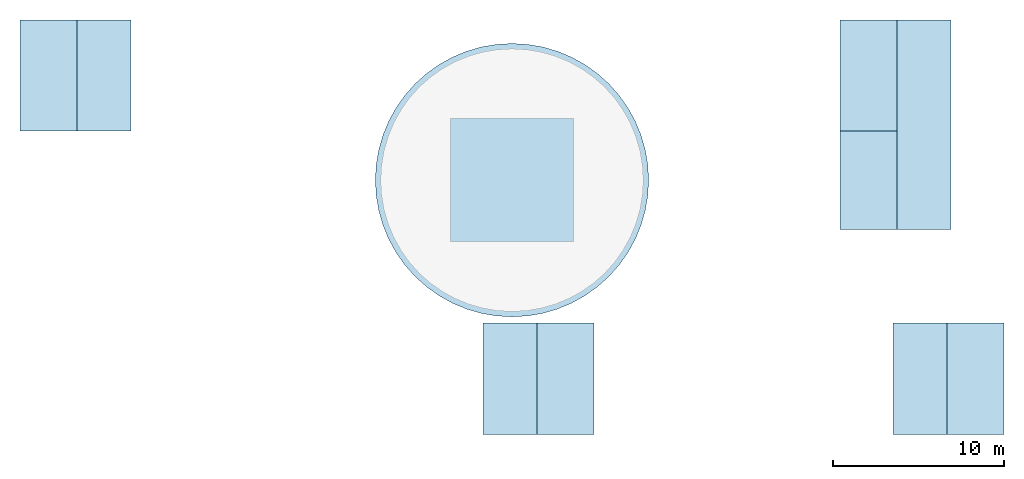
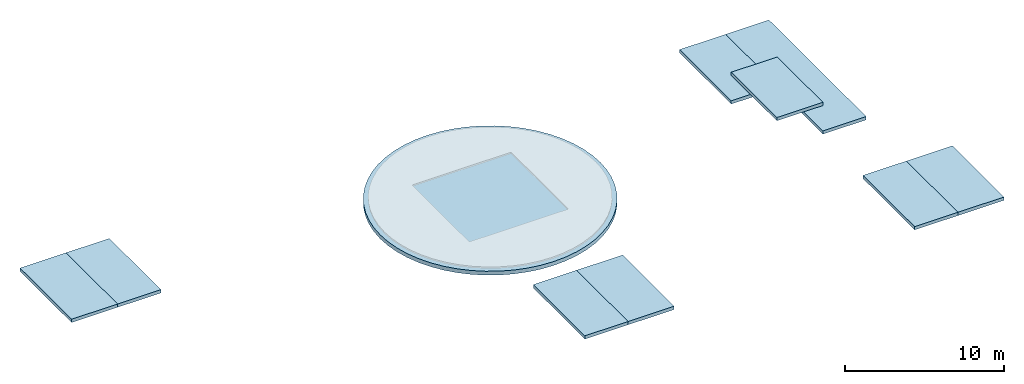
# One storey, part 1 of 2: 10 slabs.
"""IFC4 building model written with IfcOpenShell, lengths in metres."""

from ifc_helpers import new_model, si_unit, direction, frame, origin, place, context, subcontext, project, spatial, polyline, outline, extrude, material, layer, layer_set, type_object, element, save


model = new_model("IFC4")

# Units and contexts
model_context = context("Model", 3, precision=1e-05, world=origin(), true_north=direction((0.0, 1.0)))
body_context = subcontext(model_context, "Body", "Model", "MODEL_VIEW")
ifc_project = project(units=[si_unit("LENGTHUNIT", "METRE"), si_unit("AREAUNIT", "SQUARE_METRE"), si_unit("VOLUMEUNIT", "CUBIC_METRE"), si_unit("PLANEANGLEUNIT", "RADIAN"), si_unit("MASSUNIT", "GRAM", prefix="KILO")], contexts=[model_context])

# Site, building, storey
site_placement = place(None, origin())
site = spatial("IfcSite", under=ifc_project, at=site_placement, CompositionType="ELEMENT")
building_placement = place(site_placement, origin())
building = spatial("IfcBuilding", under=site, at=building_placement, Name="Mahtab Terrace Research Tower", CompositionType="ELEMENT")
storey_placement = place(building_placement, frame((0.0, 0.0, 292.949951171875)))
storey = spatial("IfcBuildingStorey", under=building, at=storey_placement, Name="Roof", CompositionType="ELEMENT", Elevation=292.949951171875)

# Slabs
ifc_material = material(Name="Concrete C40/50", Category="concrete")
ifc_layer_1 = layer(ifc_material, 0.300048828125)
ifc_layer_set_1 = layer_set([ifc_layer_1], Name="Drum roof slab 300")
slab_type_1 = type_object("IfcSlabType", Name="Drum roof slab 300", PredefinedType="ROOF", material=ifc_layer_set_1)
slab_1_placement = place(storey_placement, frame((0.0, 0.0, 0.650146484375)))
element("IfcSlab", 1, at=slab_1_placement, inside=storey, type_object=slab_type_1, Name="Drum roof slab", PredefinedType="ROOF", context=body_context, shape_type="SweptSolid", body=[
    extrude(outline(polyline([(7.949951171875, 6.64599609375), (7.799072265625, 7.530029296875), (7.551025390625, 8.39208984375), (7.2080078125, 9.220947265625), (6.77392578125, 10.006103515625), (6.2548828125, 10.738037109375), (5.656982421875, 11.406982421875), (4.988037109375, 12.0048828125), (4.256103515625, 12.52392578125), (3.470947265625, 12.9580078125), (2.64208984375, 13.301025390625), (1.780029296875, 13.549072265625), (0.89599609375, 13.699951171875), (0.0, 13.75), (-0.89599609375, 13.699951171875), (-1.780029296875, 13.549072265625), (-2.64208984375, 13.301025390625), (-3.470947265625, 12.9580078125), (-4.256103515625, 12.52392578125), (-4.988037109375, 12.0048828125), (-5.656982421875, 11.406982421875), (-6.2548828125, 10.738037109375), (-6.77392578125, 10.006103515625), (-7.2080078125, 9.220947265625), (-7.551025390625, 8.39208984375), (-7.799072265625, 7.530029296875), (-7.949951171875, 6.64599609375), (-8.0, 5.75), (-7.949951171875, 4.85400390625), (-7.799072265625, 3.969970703125), (-7.551025390625, 3.10791015625), (-7.2080078125, 2.279052734375), (-6.77392578125, 1.493896484375), (-6.2548828125, 0.761962890625), (-5.656982421875, 0.093017578125), (-4.988037109375, -0.5048828125), (-4.256103515625, -1.02392578125), (-3.470947265625, -1.4580078125), (-2.64208984375, -1.801025390625), (-1.780029296875, -2.049072265625), (-0.89599609375, -2.199951171875), (0.0, -2.25), (0.89599609375, -2.199951171875), (1.780029296875, -2.049072265625), (2.64208984375, -1.801025390625), (3.470947265625, -1.4580078125), (4.256103515625, -1.02392578125), (4.988037109375, -0.5048828125), (5.656982421875, 0.093017578125), (6.2548828125, 0.761962890625), (6.77392578125, 1.493896484375), (7.2080078125, 2.279052734375), (7.551025390625, 3.10791015625), (7.799072265625, 3.969970703125), (7.949951171875, 4.85400390625), (8.0, 5.75), (7.949951171875, 6.64599609375)])), origin(), (0.0, 0.0, 1.0), 0.2998046875),
])
ifc_layer_2 = layer(ifc_material, 0.25)
ifc_layer_set_2 = layer_set([ifc_layer_2], Name="Stair head house roof slab 250")
slab_type_2 = type_object("IfcSlabType", Name="Stair head house roof slab 250", PredefinedType="ROOF", material=ifc_layer_set_2)
slab_2_placement = place(storey_placement, frame((0.0, 0.0, -0.25)))
element("IfcSlab", 2, at=slab_2_placement, inside=storey, type_object=slab_type_2, Name="Stair ST1 head house roof", PredefinedType="ROOF", context=body_context, shape_type="SweptSolid", body=[
    extrude(outline(polyline([(-28.800048828125, 8.625), (-25.449951171875, 8.625), (-25.449951171875, 15.125), (-28.800048828125, 15.125), (-28.800048828125, 8.625)])), origin(), (0.0, 0.0, 1.0), 0.25),
])
slab_3_placement = place(storey_placement, frame((0.0, 0.0, -0.25)))
element("IfcSlab", 3, at=slab_3_placement, inside=storey, type_object=slab_type_2, Name="Roof lobby ST1 roof", PredefinedType="ROOF", context=body_context, shape_type="SweptSolid", body=[
    extrude(outline(polyline([(-22.300048828125, 15.125), (-22.300048828125, 8.625), (-25.449951171875, 8.625), (-25.449951171875, 15.125), (-22.300048828125, 15.125)])), origin(), (0.0, 0.0, 1.0), 0.25),
])
slab_4_placement = place(storey_placement, frame((0.0, 0.0, -0.25)))
element("IfcSlab", 4, at=slab_4_placement, inside=storey, type_object=slab_type_2, Name="Stair ST2 head house roof", PredefinedType="ROOF", context=body_context, shape_type="SweptSolid", body=[
    extrude(outline(polyline([(1.449951171875, -9.125), (4.800048828125, -9.125), (4.800048828125, -2.625), (1.449951171875, -2.625), (1.449951171875, -9.125)])), origin(), (0.0, 0.0, 1.0), 0.25),
])
slab_5_placement = place(storey_placement, frame((0.0, 0.0, -0.25)))
element("IfcSlab", 5, at=slab_5_placement, inside=storey, type_object=slab_type_2, Name="Roof lobby ST2 roof", PredefinedType="ROOF", context=body_context, shape_type="SweptSolid", body=[
    extrude(outline(polyline([(-1.699951171875, -9.125), (-1.699951171875, -2.625), (1.449951171875, -2.625), (1.449951171875, -9.125), (-1.699951171875, -9.125)])), origin(), (0.0, 0.0, 1.0), 0.25),
])
slab_6_placement = place(storey_placement, frame((0.0, 0.0, -0.25)))
element("IfcSlab", 6, at=slab_6_placement, inside=storey, type_object=slab_type_2, Name="Stair ST3 head house roof", PredefinedType="ROOF", context=body_context, shape_type="SweptSolid", body=[
    extrude(outline(polyline([(19.199951171875, 8.625), (22.550048828125, 8.625), (22.550048828125, 15.125), (19.199951171875, 15.125), (19.199951171875, 8.625)])), origin(), (0.0, 0.0, 1.0), 0.25),
])
slab_7_placement = place(storey_placement, frame((0.0, 0.0, -0.25)))
element("IfcSlab", 7, at=slab_7_placement, inside=storey, type_object=slab_type_2, Name="Stair ST4 head house roof", PredefinedType="ROOF", context=body_context, shape_type="SweptSolid", body=[
    extrude(outline(polyline([(25.449951171875, -9.125), (28.800048828125, -9.125), (28.800048828125, -2.625), (25.449951171875, -2.625), (25.449951171875, -9.125)])), origin(), (0.0, 0.0, 1.0), 0.25),
])
slab_8_placement = place(storey_placement, frame((0.0, 0.0, -0.25)))
element("IfcSlab", 8, at=slab_8_placement, inside=storey, type_object=slab_type_2, Name="Roof lobby ST4 roof", PredefinedType="ROOF", context=body_context, shape_type="SweptSolid", body=[
    extrude(outline(polyline([(22.300048828125, -9.125), (22.300048828125, -2.625), (25.449951171875, -2.625), (25.449951171875, -9.125), (22.300048828125, -9.125)])), origin(), (0.0, 0.0, 1.0), 0.25),
])
slab_9_placement = place(storey_placement, frame((0.0, 0.0, 1.949951171875)))
element("IfcSlab", 9, at=slab_9_placement, inside=storey, type_object=slab_type_2, Name="Firefighting lift head house roof", PredefinedType="ROOF", context=body_context, shape_type="SweptSolid", body=[
    extrude(outline(polyline([(19.199951171875, 2.875), (22.550048828125, 2.875), (22.550048828125, 8.625), (19.199951171875, 8.625), (19.199951171875, 2.875)])), origin(), (0.0, 0.0, 1.0), 0.25),
])
slab_10_placement = place(storey_placement, frame((0.0, 0.0, -0.25)))
element("IfcSlab", 10, at=slab_10_placement, inside=storey, type_object=slab_type_2, Name="Roof lobby roof", PredefinedType="ROOF", context=body_context, shape_type="SweptSolid", body=[
    extrude(outline(polyline([(22.550048828125, 2.875), (25.699951171875, 2.875), (25.699951171875, 15.125), (22.550048828125, 15.125), (22.550048828125, 2.875)])), origin(), (0.0, 0.0, 1.0), 0.25),
])

save(model, "model.ifc")
